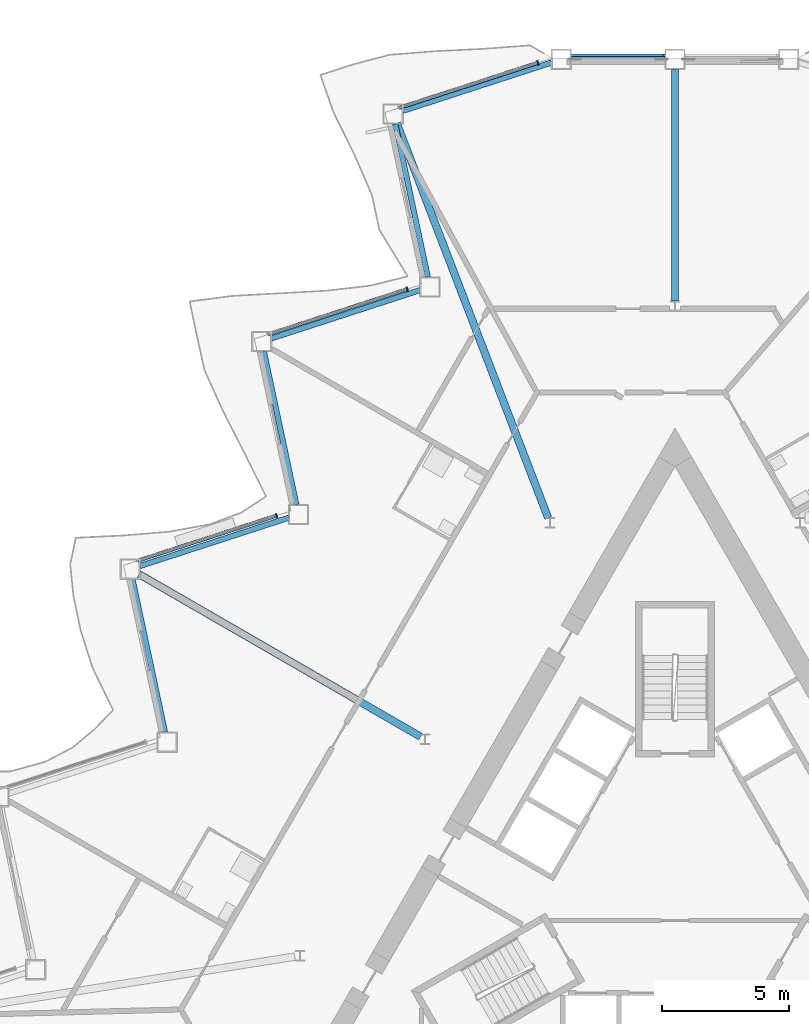
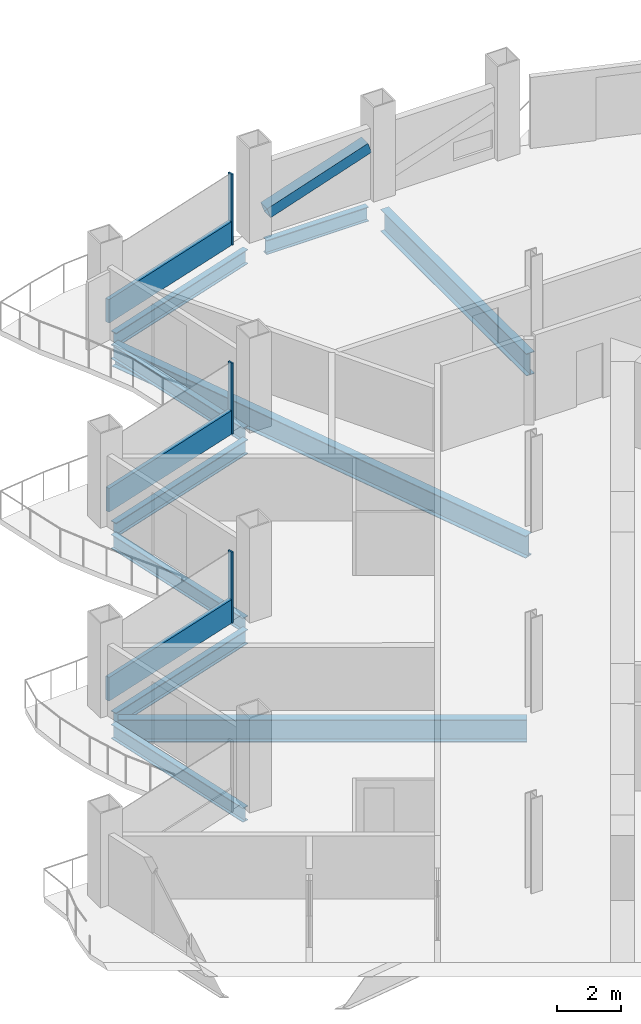
# One storey, part 7 of 22: 10 beams, 7 members, 3 elements without a shape of their own.
"""IFC4 building model written with IfcOpenShell, lengths in metres."""

from ifc_helpers import new_model, si_unit, direction, frame, origin, origin_2d, place, context, subcontext, project, spatial, rectangle, hollow_rectangle, i_section, extrude, material, layer, layer_set, material_profile, profile_set, type_object, element, aggregate, save


model = new_model("IFC4")

# Units and contexts
model_context = context("Model", 3, precision=1e-05, world=origin(), true_north=direction((0.0, 1.0)))
body_context = subcontext(model_context, "Body", "Model", "MODEL_VIEW")
ifc_project = project(units=[si_unit("LENGTHUNIT", "METRE"), si_unit("AREAUNIT", "SQUARE_METRE"), si_unit("VOLUMEUNIT", "CUBIC_METRE"), si_unit("PLANEANGLEUNIT", "RADIAN"), si_unit("MASSUNIT", "GRAM", prefix="KILO")], contexts=[model_context])

# Site, building, storey
site_placement = place(None, origin())
site = spatial("IfcSite", under=ifc_project, at=site_placement, CompositionType="ELEMENT")
building_placement = place(site_placement, origin())
building = spatial("IfcBuilding", under=site, at=building_placement, Name="Cormorant Prow Tower", CompositionType="ELEMENT")
storey_placement = place(building_placement, frame((0.0, 0.0, 194.39990234375)))
storey = spatial("IfcBuildingStorey", under=building, at=storey_placement, Name="L42", CompositionType="ELEMENT", Elevation=194.39990234375)

# Member
ifc_material_1 = material(Name="Structural steel ASTM A500 Gr C", Category="steel")
ifc_material_profile_1 = material_profile(ifc_material_1, hollow_rectangle(XDim=0.406494140625, YDim=0.406494140625, WallThickness=0.01171875, at=origin_2d()), Name="HSS16x16x1/2")
ifc_profile_set_1 = profile_set([ifc_material_profile_1], Name="Structural steel ASTM A500 Gr C")
member_type_1 = type_object("IfcMemberType", Name="Chamfer brace HSS16x16x1/2", PredefinedType="BRACE", material=ifc_profile_set_1)
member_1_placement = place(storey_placement, frame((-4.05322265625, 32.3994140625, 0.740234375), z_axis=(0.947999999098, 0.0, 0.318270328039), x_axis=(0.0, 1.0, 0.0)))
element("IfcMember", 1, at=member_1_placement, inside=storey, type_object=member_type_1, Name="Chamfer brace BR2 at N01 L42", PredefinedType="BRACE", context=body_context, shape_type="SweptSolid", body=[
    extrude(hollow_rectangle(XDim=0.406494140625, YDim=0.406494140625, WallThickness=0.01171875, at=origin_2d()), origin(), (0.0, 0.0, 1.0), 3.83544921875),
])

# Curtain wall, member
ifc_material_2 = material(Name="Aluminium 6063-T6", Category="aluminium")
ifc_layer = layer(ifc_material_2, 0.179931640625)
ifc_layer_set = layer_set([ifc_layer], Name="Aluminium 6063-T6")
curtain_wall_type = type_object("IfcCurtainWallType", Name="Hotel unitised curtain wall 180", PredefinedType="NOTDEFINED", material=ifc_layer_set)
curtain_wall_1_placement = place(storey_placement, origin())
curtain_wall_1 = element("IfcCurtainWall", 2, at=curtain_wall_1_placement, inside=storey, type_object=curtain_wall_type, Name="Hotel curtain wall WNW00", PredefinedType="NOTDEFINED")
ifc_material_3 = material(Name="Aluminium 6063-T6", Category="aluminium")
ifc_material_profile_2 = material_profile(ifc_material_3, rectangle(XDim=0.179931640625, YDim=0.06005859375, at=origin_2d()), Name="Hotel mullion 60x180")
ifc_profile_set_2 = profile_set([ifc_material_profile_2], Name="Aluminium 6063-T6")
member_type_2 = type_object("IfcMemberType", Name="Hotel mullion 60x180", PredefinedType="MULLION", material=ifc_profile_set_2)
member_2_placement = place(storey_placement, frame((-5.388427734375, 32.26513671875, 0.0), z_axis=(0.0, 0.0, 1.0), x_axis=(0.309016940594, -0.95105653377, 0.0)))
member_2 = element("IfcMember", 3, at=member_2_placement, type_object=member_type_2, Name="Hotel mullion WNW00", PredefinedType="MULLION", context=body_context, shape_type="SweptSolid", body=[
    extrude(rectangle(XDim=0.179931640625, YDim=0.06005859375, at=origin_2d()), origin(), (0.0, 0.0, 1.0), 2.700927734375),
])

curtain_wall_2_placement = place(storey_placement, origin())
curtain_wall_2 = element("IfcCurtainWall", 4, at=curtain_wall_2_placement, inside=storey, type_object=curtain_wall_type, Name="Hotel curtain wall WNW02", PredefinedType="NOTDEFINED")
member_3_placement = place(storey_placement, frame((-10.52685546875, 23.364990234375, 0.0), z_axis=(0.0, 0.0, 1.0), x_axis=(0.309017113905, -0.951056477458, 0.0)))
member_3 = element("IfcMember", 5, at=member_3_placement, type_object=member_type_2, Name="Hotel mullion WNW02", PredefinedType="MULLION", context=body_context, shape_type="SweptSolid", body=[
    extrude(rectangle(XDim=0.179931640625, YDim=0.06005859375, at=origin_2d()), origin(), (0.0, 0.0, 1.0), 2.700927734375),
])

curtain_wall_3_placement = place(storey_placement, origin())
curtain_wall_3 = element("IfcCurtainWall", 6, at=curtain_wall_3_placement, inside=storey, type_object=curtain_wall_type, Name="Hotel curtain wall WNW04", PredefinedType="NOTDEFINED")
member_4_placement = place(storey_placement, frame((-15.66552734375, 14.46484375, 0.0), z_axis=(0.0, 0.0, 1.0), x_axis=(0.309016983088, -0.951056519963, 0.0)))
member_4 = element("IfcMember", 7, at=member_4_placement, type_object=member_type_2, Name="Hotel mullion WNW04", PredefinedType="MULLION", context=body_context, shape_type="SweptSolid", body=[
    extrude(rectangle(XDim=0.179931640625, YDim=0.06005859375, at=origin_2d()), origin(), (0.0, 0.0, 1.0), 2.700927734375),
])

# Member
ifc_material_4 = material(Name="Terracotta", Category="masonry")
ifc_material_profile_3 = material_profile(ifc_material_4, rectangle(XDim=0.139892578125, YDim=0.89990234375, at=origin_2d()), Name="Hotel terracotta spandrel rail 140x900")
ifc_profile_set_3 = profile_set([ifc_material_profile_3], Name="Terracotta")
member_type_3 = type_object("IfcMemberType", Name="Hotel terracotta spandrel rail 140x900", PredefinedType="USERDEFINED", material=ifc_profile_set_3)
member_5_placement = place(storey_placement, frame((-5.4169921875, 32.255859375, 0.4501953125), z_axis=(-0.951059478258, -0.309007878243, 0.0), x_axis=(0.309007878243, -0.951059478258, 0.0)))
member_5 = element("IfcMember", 8, at=member_5_placement, type_object=member_type_3, Name="Hotel spandrel rail WNW00", ObjectType="TRANSOM", PredefinedType="USERDEFINED", context=body_context, shape_type="SweptSolid", body=[
    extrude(rectangle(XDim=0.139892578125, YDim=0.89990234375, at=origin_2d()), origin(), (0.0, 0.0, 1.0), 5.718505859375),
])

aggregate(curtain_wall_1, [member_2, member_5])

member_6_placement = place(storey_placement, frame((-10.555419921875, 23.355712890625, 0.4501953125), z_axis=(-0.951059478258, -0.309007878243, 0.0), x_axis=(0.309007878243, -0.951059478258, 0.0)))
member_6 = element("IfcMember", 9, at=member_6_placement, type_object=member_type_3, Name="Hotel spandrel rail WNW02", ObjectType="TRANSOM", PredefinedType="USERDEFINED", context=body_context, shape_type="SweptSolid", body=[
    extrude(rectangle(XDim=0.139892578125, YDim=0.89990234375, at=origin_2d()), origin(), (0.0, 0.0, 1.0), 5.718505859375),
])

aggregate(curtain_wall_2, [member_3, member_6])

member_7_placement = place(storey_placement, frame((-15.694091796875, 14.45556640625, 0.4501953125), z_axis=(-0.951059478258, -0.309007878243, 0.0), x_axis=(0.309007878243, -0.951059478258, 0.0)))
member_7 = element("IfcMember", 10, at=member_7_placement, type_object=member_type_3, Name="Hotel spandrel rail WNW04", ObjectType="TRANSOM", PredefinedType="USERDEFINED", context=body_context, shape_type="SweptSolid", body=[
    extrude(rectangle(XDim=0.139892578125, YDim=0.89990234375, at=origin_2d()), origin(), (0.0, 0.0, 1.0), 5.718505859375),
])

aggregate(curtain_wall_3, [member_4, member_7])

# Beams
ifc_material_5 = material(Name="Structural steel ASTM A992 Gr 50", Category="steel")
ifc_material_profile_4 = material_profile(ifc_material_5, i_section(OverallWidth=0.29296875, OverallDepth=0.845703125, WebThickness=0.015380859375, FlangeThickness=0.0244140625, at=origin_2d()), Name="W33x141")
ifc_profile_set_4 = profile_set([ifc_material_profile_4], Name="Structural steel ASTM A992 Gr 50")
beam_type_1 = type_object("IfcBeamType", Name="Radial floor beam W33x141", PredefinedType="BEAM", material=ifc_profile_set_4)
beam_1_placement = place(storey_placement, frame((0.0, 22.901611328125, -0.772705078125), z_axis=(0.0, 1.0, 0.0), x_axis=(-1.0, 0.0, 0.0)))
element("IfcBeam", 11, at=beam_1_placement, inside=storey, type_object=beam_type_1, Name="Radial floor beam FB2 1 L42", PredefinedType="BEAM", context=body_context, shape_type="SweptSolid", body=[
    extrude(i_section(OverallWidth=0.29296875, OverallDepth=0.845703125, WebThickness=0.015380859375, FlangeThickness=0.0244140625, at=origin_2d()), origin(), (0.0, 0.0, 1.0), 9.097900390625),
])
beam_2_placement = place(storey_placement, frame((-4.9873046875, 14.376220703125, -0.772705078125), z_axis=(-0.358301123829, 0.933606075742, 0.0), x_axis=(-0.933606075742, -0.358301123829, 0.0)))
element("IfcBeam", 12, at=beam_2_placement, inside=storey, type_object=beam_type_1, Name="Radial floor beam FB2 2 L42", PredefinedType="BEAM", context=body_context, shape_type="SweptSolid", body=[
    extrude(i_section(OverallWidth=0.29296875, OverallDepth=0.845703125, WebThickness=0.015380859375, FlangeThickness=0.0244140625, at=origin_2d()), origin(), (0.0, 0.0, 1.0), 16.604736328125),
])
beam_3_placement = place(storey_placement, frame((-10.0048828125, 5.7763671875, -0.772705078125), z_axis=(-0.866026069776, 0.499998846467, 0.0), x_axis=(-0.499998846467, -0.866026069776, 0.0)))
element("IfcBeam", 13, at=beam_3_placement, inside=storey, type_object=beam_type_1, Name="Radial floor beam FB2 3 L42", PredefinedType="BEAM", context=body_context, shape_type="SweptSolid", body=[
    extrude(i_section(OverallWidth=0.29296875, OverallDepth=0.845703125, WebThickness=0.015380859375, FlangeThickness=0.0244140625, at=origin_2d()), origin(), (0.0, 0.0, 1.0), 12.76904296875),
])
ifc_material_6 = material(Name="Structural steel ASTM A992 Gr 50", Category="steel")
ifc_material_profile_5 = material_profile(ifc_material_6, i_section(OverallWidth=0.2138671875, OverallDepth=0.549072265625, WebThickness=0.0146484375, FlangeThickness=0.023681640625, at=origin_2d()), Name="W21x93")
ifc_profile_set_5 = profile_set([ifc_material_profile_5], Name="Structural steel ASTM A992 Gr 50")
beam_type_2 = type_object("IfcBeamType", Name="Spandrel beam W21x93", PredefinedType="SPANDREL", material=ifc_profile_set_5)
beam_4_placement = place(storey_placement, frame((-0.39990234375, 32.3994140625, -0.62451171875), z_axis=(-1.0, 0.0, 0.0), x_axis=(0.0, -1.0, 0.0)))
element("IfcBeam", 14, at=beam_4_placement, inside=storey, type_object=beam_type_2, Name="Spandrel beam SB2 N01-WNW00 L42", PredefinedType="SPANDREL", context=body_context, shape_type="SweptSolid", body=[
    extrude(i_section(OverallWidth=0.2138671875, OverallDepth=0.549072265625, WebThickness=0.0146484375, FlangeThickness=0.023681640625, at=origin_2d()), origin(), (0.0, 0.0, 1.0), 3.67041015625),
])
beam_5_placement = place(storey_placement, frame((-4.850830078125, 32.27587890625, -0.62451171875), z_axis=(-0.951057696564, -0.309013361859, 0.0), x_axis=(0.309013361859, -0.951057696564, 0.0)))
element("IfcBeam", 15, at=beam_5_placement, inside=storey, type_object=beam_type_2, Name="Spandrel beam SB2 WNW00-WNW01 L42", PredefinedType="SPANDREL", context=body_context, shape_type="SweptSolid", body=[
    extrude(i_section(OverallWidth=0.2138671875, OverallDepth=0.549072265625, WebThickness=0.0146484375, FlangeThickness=0.023681640625, at=origin_2d()), origin(), (0.0, 0.0, 1.0), 6.14990234375),
])
beam_6_placement = place(storey_placement, frame((-10.996826171875, 29.860595703125, -0.62451171875), z_axis=(0.207904811195, -0.978149063018, 0.0), x_axis=(0.978149063018, 0.207904811195, 0.0)))
element("IfcBeam", 16, at=beam_6_placement, inside=storey, type_object=beam_type_2, Name="Spandrel beam SB2 WNW01-WNW02 L42", PredefinedType="SPANDREL", context=body_context, shape_type="SweptSolid", body=[
    extrude(i_section(OverallWidth=0.2138671875, OverallDepth=0.549072265625, WebThickness=0.0146484375, FlangeThickness=0.023681640625, at=origin_2d()), origin(), (0.0, 0.0, 1.0), 6.149658203125),
])
beam_7_placement = place(storey_placement, frame((-10.015625, 23.330322265625, -0.62451171875), z_axis=(-0.951057696564, -0.309013361859, 0.0), x_axis=(0.309013361859, -0.951057696564, 0.0)))
element("IfcBeam", 17, at=beam_7_placement, inside=storey, type_object=beam_type_2, Name="Spandrel beam SB2 WNW02-WNW03 L42", PredefinedType="SPANDREL", context=body_context, shape_type="SweptSolid", body=[
    extrude(i_section(OverallWidth=0.2138671875, OverallDepth=0.549072265625, WebThickness=0.0146484375, FlangeThickness=0.023681640625, at=origin_2d()), origin(), (0.0, 0.0, 1.0), 6.14990234375),
])
beam_8_placement = place(storey_placement, frame((-16.16162109375, 20.9150390625, -0.62451171875), z_axis=(0.207904811195, -0.978149063018, 0.0), x_axis=(0.978149063018, 0.207904811195, 0.0)))
element("IfcBeam", 18, at=beam_8_placement, inside=storey, type_object=beam_type_2, Name="Spandrel beam SB2 WNW03-WNW04 L42", PredefinedType="SPANDREL", context=body_context, shape_type="SweptSolid", body=[
    extrude(i_section(OverallWidth=0.2138671875, OverallDepth=0.549072265625, WebThickness=0.0146484375, FlangeThickness=0.023681640625, at=origin_2d()), origin(), (0.0, 0.0, 1.0), 6.149658203125),
])
beam_9_placement = place(storey_placement, frame((-15.18017578125, 14.384765625, -0.62451171875), z_axis=(-0.951057696564, -0.309013361859, 0.0), x_axis=(0.309013361859, -0.951057696564, 0.0)))
element("IfcBeam", 19, at=beam_9_placement, inside=storey, type_object=beam_type_2, Name="Spandrel beam SB2 WNW04-WNW05 L42", PredefinedType="SPANDREL", context=body_context, shape_type="SweptSolid", body=[
    extrude(i_section(OverallWidth=0.2138671875, OverallDepth=0.549072265625, WebThickness=0.0146484375, FlangeThickness=0.023681640625, at=origin_2d()), origin(), (0.0, 0.0, 1.0), 6.14990234375),
])
beam_10_placement = place(storey_placement, frame((-21.326416015625, 11.969482421875, -0.62451171875), z_axis=(0.207904811195, -0.978149063018, 0.0), x_axis=(0.978149063018, 0.207904811195, 0.0)))
element("IfcBeam", 20, at=beam_10_placement, inside=storey, type_object=beam_type_2, Name="Spandrel beam SB2 WNW05-WNW06 L42", PredefinedType="SPANDREL", context=body_context, shape_type="SweptSolid", body=[
    extrude(i_section(OverallWidth=0.2138671875, OverallDepth=0.549072265625, WebThickness=0.0146484375, FlangeThickness=0.023681640625, at=origin_2d()), origin(), (0.0, 0.0, 1.0), 6.149658203125),
])

save(model, "model.ifc")
